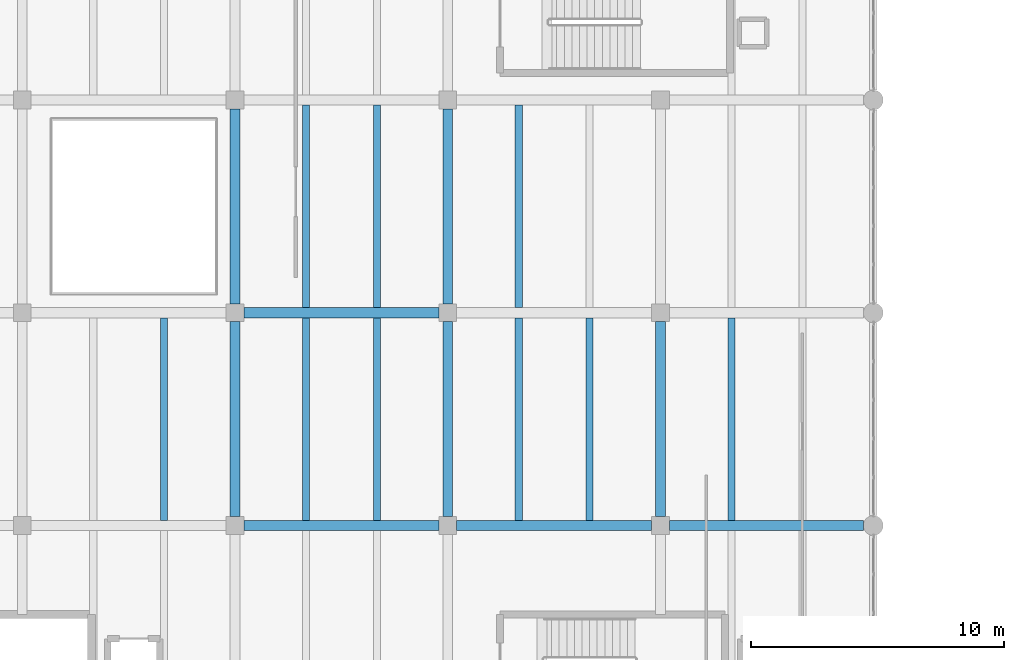
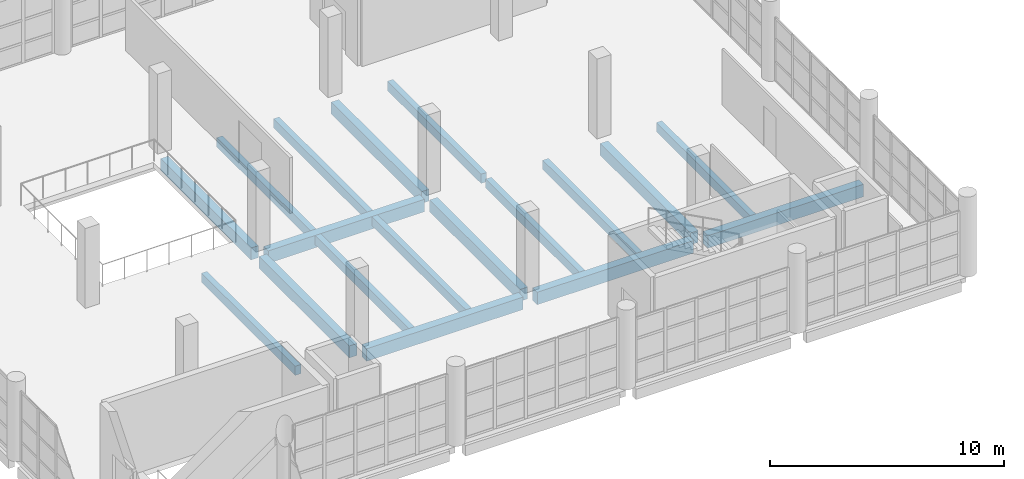
# One storey, part 88 of 177: 18 beams.
"""IFC4 building model written with IfcOpenShell, lengths in metres."""

import ifcopenshell
import ifcopenshell.guid

model = None  # the IFC model being written
_history = None  # IfcOwnerHistory: only IFC2X3 demands one
_inside = {}  # id of a spatial element -> (the spatial element, [elements in it])
_under = {}  # id of a project, library or spatial element -> (it, [spatial elements below it])
_declared = {}  # id of a project -> (the project, [libraries it declares])
_typed = {}  # id of a type object -> (the type object, [elements of that type])
_made_of = {}  # id of a material, layer set ... -> (it, [elements and type objects made of it])


def new_model(schema):
    """Start an empty IFC model of exactly this schema.

    Asked for "IFC4X3", IfcOpenShell would pick the latest addendum, in which some entities
    have other attributes; the version numbers below select the first issue.
    IFC2X3 requires an IfcOwnerHistory on every rooted entity: one is made here for all.
    """
    global model, _history
    if schema == "IFC4X3":
        model = ifcopenshell.file(schema_version=(4, 3, 0, 0))
    else:
        model = ifcopenshell.file(schema=schema)
    _inside.clear()
    _under.clear()
    _declared.clear()
    _typed.clear()
    _made_of.clear()
    _history = None
    if model.schema == "IFC2X3":
        org = make("IfcOrganization", Name="unknown")
        user = make(
            "IfcPersonAndOrganization",
            ThePerson=make("IfcPerson", FamilyName="unknown"),
            TheOrganization=org,
        )
        app = make(
            "IfcApplication",
            ApplicationDeveloper=org,
            Version="unknown",
            ApplicationFullName="unknown",
            ApplicationIdentifier="unknown",
        )
        _history = make(
            "IfcOwnerHistory",
            OwningUser=user,
            OwningApplication=app,
            ChangeAction="ADDED",
            CreationDate=0,
        )
    return model


def make(cls, **values):
    """One entity of the class cls with the attributes given. An attribute that is None is left unset."""
    return model.create_entity(
        cls, **{name: value for name, value in values.items() if value is not None}
    )


def rooted(cls, **values):
    """An entity with a GlobalId (a new one), such as an element, a storey or a relation."""
    return make(cls, GlobalId=ifcopenshell.guid.new(), OwnerHistory=_history, **values)


def si_unit(unit_type, name, prefix=None):
    """IfcSIUnit, for example si_unit("LENGTHUNIT", "METRE", prefix="MILLI")."""
    return make("IfcSIUnit", UnitType=unit_type, Prefix=prefix, Name=name)


def assignment(units):
    """IfcUnitAssignment: the units of a project."""
    return None if units is None else make("IfcUnitAssignment", Units=units)


def point(xyz):
    """IfcCartesianPoint."""
    return None if xyz is None else make("IfcCartesianPoint", Coordinates=xyz)


def direction(xyz):
    """IfcDirection."""
    return None if xyz is None else make("IfcDirection", DirectionRatios=xyz)


def frame(location, z_axis=None, x_axis=None):
    """IfcAxis2Placement3D, a coordinate frame: its origin and axes. An axis left out is left unset."""
    return make(
        "IfcAxis2Placement3D",
        Location=point(location),
        Axis=direction(z_axis),
        RefDirection=direction(x_axis),
    )


def frame_2d(location, x_axis=None):
    """IfcAxis2Placement2D, a coordinate frame in the plane: its origin and x axis."""
    return make(
        "IfcAxis2Placement2D", Location=point(location), RefDirection=direction(x_axis)
    )


def origin():
    """The frame at (0, 0, 0) with its axes left unset."""
    return frame((0.0, 0.0, 0.0))


def origin_2d():
    """The frame at (0, 0) in the plane with its x axis left unset."""
    return frame_2d((0.0, 0.0))


def place(relative_to, where):
    """IfcLocalPlacement: puts the frame where relative to a parent placement (None: the world)."""
    return make(
        "IfcLocalPlacement", PlacementRelTo=relative_to, RelativePlacement=where
    )


def context(
    kind, dimensions, precision=None, world=None, true_north=None, identifier=None
):
    """IfcGeometricRepresentationContext, for example the 3D "Model" context."""
    return make(
        "IfcGeometricRepresentationContext",
        ContextIdentifier=identifier,
        ContextType=kind,
        CoordinateSpaceDimension=dimensions,
        Precision=precision,
        WorldCoordinateSystem=world,
        TrueNorth=true_north,
    )


def subcontext(parent, identifier, kind, view, scale=None):
    """IfcGeometricRepresentationSubContext, for example "Body" below "Model"."""
    return make(
        "IfcGeometricRepresentationSubContext",
        ContextIdentifier=identifier,
        ContextType=kind,
        ParentContext=parent,
        TargetScale=scale,
        TargetView=view,
    )


def project(units=None, contexts=None):
    """IfcProject with its units and contexts."""
    return rooted(
        "IfcProject",
        Name="project",
        RepresentationContexts=contexts,
        UnitsInContext=assignment(units),
    )


def spatial(cls, under=None, at=None, **own):
    """A site, building, storey or space (cls), placed at a placement, below another one or the project."""
    s = rooted(cls, ObjectPlacement=at, **own)
    if under is not None:
        _under.setdefault(under.id(), (under, []))[1].append(s)
    return s


def profile(cls, at=None, kind="AREA", **sizes):
    """A parametric profile (cls). Its sizes go by their IFC names, for example OverallWidth=200.0."""
    return make(cls, ProfileType=kind, Position=at, **sizes)


def rectangle(**sizes):
    """IfcRectangleProfileDef."""
    return profile("IfcRectangleProfileDef", **sizes)


def extrude(swept, where, along, depth):
    """IfcExtrudedAreaSolid: the profile swept, set in the frame where, extruded along a direction by depth."""
    return make(
        "IfcExtrudedAreaSolid",
        SweptArea=swept,
        Position=where,
        ExtrudedDirection=direction(along),
        Depth=depth,
    )


def shape(context_of_items, identifier, shape_type, items):
    """IfcShapeRepresentation: the items that make up one representation, for example the "Body"."""
    return make(
        "IfcShapeRepresentation",
        ContextOfItems=context_of_items,
        RepresentationIdentifier=identifier,
        RepresentationType=shape_type,
        Items=items,
    )


def material(Name=None, Category=None):
    """IfcMaterial."""
    return make("IfcMaterial", Name=Name, Category=Category)


def material_profile(
    of_material, cross_section, Name=None, Category=None, Priority=None
):
    """IfcMaterialProfile: a cross section and its material."""
    return make(
        "IfcMaterialProfile",
        Name=Name,
        Material=of_material,
        Profile=cross_section,
        Priority=Priority,
        Category=Category,
    )


def profile_set(profiles, Name=None, composite=None):
    """IfcMaterialProfileSet."""
    return make(
        "IfcMaterialProfileSet",
        Name=Name,
        MaterialProfiles=profiles,
        CompositeProfile=composite,
    )


def made_of(thing, what):
    """Note that an element or type object is made of a material, layer set ...; save() writes the relation."""
    if what is not None:
        _made_of.setdefault(what.id(), (what, []))[1].append(thing)
    return thing


def type_object(cls, material=None, **own):
    """A type object (cls), such as IfcWallType, which elements share."""
    return made_of(rooted(cls, **own), material)


def element(
    cls,
    number,
    at=None,
    inside=None,
    cuts=None,
    type_object=None,
    material=None,
    context=None,
    identifier="Body",
    shape_type=None,
    held_by="IfcProductDefinitionShape",
    body=None,
    shapes=None,
    **own,
):
    """One element of the class cls, such as IfcWall. Its Tag is "e" and its number.

    at: its placement. inside: the storey or other place that contains it. cuts: it is an
    opening in that element (IfcRelVoidsElement). A single representation is given by context,
    identifier, shape_type and body (its items); several are given by shapes. held_by: the class
    of the entity that holds the representations. save() writes the other relations.
    """
    e = rooted(cls, Tag="e%d" % number, ObjectPlacement=at, **own)
    if body is not None:
        shapes = [shape(context, identifier, shape_type, body)]
    if shapes is not None:
        e.Representation = make(held_by, Representations=shapes)
    if inside is not None:
        _inside.setdefault(inside.id(), (inside, []))[1].append(e)
    if cuts is not None:
        rooted(
            "IfcRelVoidsElement", RelatingBuildingElement=cuts, RelatedOpeningElement=e
        )
    if type_object is not None:
        _typed.setdefault(type_object.id(), (type_object, []))[1].append(e)
    return made_of(e, material)


def aggregate(whole, parts):
    """IfcRelAggregates: a whole, such as a stair, and the parts it consists of."""
    return rooted("IfcRelAggregates", RelatingObject=whole, RelatedObjects=parts)


def save(model, path):
    """Write the relations noted so far, then the file.

    IfcRelAggregates (storeys below a building ...), IfcRelContainedInSpatialStructure (elements
    in a storey), IfcRelDefinesByType, IfcRelAssociatesMaterial and IfcRelDeclares: one each for
    every whole, place, type object, material and project.
    """
    for whole, parts in _under.values():
        aggregate(whole, parts)
    for where, things in _inside.values():
        rooted(
            "IfcRelContainedInSpatialStructure",
            RelatedElements=things,
            RelatingStructure=where,
        )
    for kind, things in _typed.values():
        rooted("IfcRelDefinesByType", RelatedObjects=things, RelatingType=kind)
    for what, things in _made_of.values():
        rooted("IfcRelAssociatesMaterial", RelatedObjects=things, RelatingMaterial=what)
    for by, libraries in _declared.values():
        rooted("IfcRelDeclares", RelatingContext=by, RelatedDefinitions=libraries)
    model.write(path)


model = new_model("IFC4")

# Units and contexts
model_context = context("Model", 3, precision=1e-05, world=origin(), true_north=direction((0.0, 1.0)))
body_context = subcontext(model_context, "Body", "Model", "MODEL_VIEW")
ifc_project = project(units=[si_unit("LENGTHUNIT", "METRE"), si_unit("AREAUNIT", "SQUARE_METRE"), si_unit("VOLUMEUNIT", "CUBIC_METRE"), si_unit("PLANEANGLEUNIT", "RADIAN"), si_unit("MASSUNIT", "GRAM", prefix="KILO"), si_unit("THERMODYNAMICTEMPERATUREUNIT", "KELVIN"), si_unit("POWERUNIT", "WATT")], contexts=[model_context])

# Site, building, storey
site_placement = place(None, origin())
site = spatial("IfcSite", under=ifc_project, at=site_placement, CompositionType="ELEMENT")
building_placement = place(site_placement, origin())
building = spatial("IfcBuilding", under=site, at=building_placement, Name="Mavoryth Pier Ferry Terminal", CompositionType="ELEMENT")
storey_placement = place(building_placement, frame((0.0, 0.0, 5.43994140625)))
storey = spatial("IfcBuildingStorey", under=building, at=storey_placement, Name="L01", CompositionType="ELEMENT", Elevation=5.43994140625)

# Beams
ifc_material = material(Name="Concrete C35/45", Category="concrete")
ifc_material_profile_1 = material_profile(ifc_material, rectangle(XDim=0.3798828125, YDim=0.6201171875, at=origin_2d()), Name="RC 380x620", Category="concrete")
ifc_profile_set_1 = profile_set([ifc_material_profile_1], Name="Concrete C35/45 - RC 380x620")
beam_type_1 = type_object("IfcBeamType", Name="Girder-RC-380x620", PredefinedType="BEAM", material=ifc_profile_set_1)
beam_1_placement = place(storey_placement, frame((67.199951171875, 81.14990234375, -0.58984375), z_axis=(0.0, 1.0, 0.0), x_axis=(-1.0, 0.0, 0.0)))
element("IfcBeam", 1, at=beam_1_placement, inside=storey, type_object=beam_type_1, Name="Beam B01-BG06-0212", PredefinedType="BEAM", context=body_context, shape_type="SweptSolid", body=[
    extrude(rectangle(XDim=0.3798828125, YDim=0.6201171875, at=origin_2d()), origin(), (0.0, 0.0, 1.0), 7.7001953125),
])
beam_2_placement = place(storey_placement, frame((67.199951171875, 89.550048828125, -0.58984375), z_axis=(0.0, 1.0, 0.0), x_axis=(-1.0, 0.0, 0.0)))
element("IfcBeam", 2, at=beam_2_placement, inside=storey, type_object=beam_type_1, Name="Beam B01-BG06-0213", PredefinedType="BEAM", context=body_context, shape_type="SweptSolid", body=[
    extrude(rectangle(XDim=0.3798828125, YDim=0.6201171875, at=origin_2d()), origin(), (0.0, 0.0, 1.0), 7.699951171875),
])
beam_3_placement = place(storey_placement, frame((75.60009765625, 81.14990234375, -0.58984375), z_axis=(0.0, 1.0, 0.0), x_axis=(-1.0, 0.0, 0.0)))
element("IfcBeam", 3, at=beam_3_placement, inside=storey, type_object=beam_type_1, Name="Beam B01-BG06-0216", PredefinedType="BEAM", context=body_context, shape_type="SweptSolid", body=[
    extrude(rectangle(XDim=0.3798828125, YDim=0.6201171875, at=origin_2d()), origin(), (0.0, 0.0, 1.0), 7.7001953125),
])
beam_4_placement = place(storey_placement, frame((75.60009765625, 89.550048828125, -0.58984375), z_axis=(0.0, 1.0, 0.0), x_axis=(-1.0, 0.0, 0.0)))
element("IfcBeam", 4, at=beam_4_placement, inside=storey, type_object=beam_type_1, Name="Beam B01-BG06-0217", PredefinedType="BEAM", context=body_context, shape_type="SweptSolid", body=[
    extrude(rectangle(XDim=0.3798828125, YDim=0.6201171875, at=origin_2d()), origin(), (0.0, 0.0, 1.0), 7.699951171875),
])
beam_5_placement = place(storey_placement, frame((84.0, 81.14990234375, -0.58984375), z_axis=(0.0, 1.0, 0.0), x_axis=(-1.0, 0.0, 0.0)))
element("IfcBeam", 5, at=beam_5_placement, inside=storey, type_object=beam_type_1, Name="Beam B01-BG06-0220", PredefinedType="BEAM", context=body_context, shape_type="SweptSolid", body=[
    extrude(rectangle(XDim=0.3798828125, YDim=0.6201171875, at=origin_2d()), origin(), (0.0, 0.0, 1.0), 7.7001953125),
])
ifc_material_profile_2 = material_profile(ifc_material, rectangle(XDim=0.39990234375, YDim=0.64990234375, at=origin_2d()), Name="RC 400x650", Category="concrete")
ifc_profile_set_2 = profile_set([ifc_material_profile_2], Name="Concrete C35/45 - RC 400x650")
beam_type_2 = type_object("IfcBeamType", Name="Girder-RC-400x650", PredefinedType="BEAM", material=ifc_profile_set_2)
for number, where, z_axis, x_axis, name in (
    (6, (67.550048828125, 80.800048828125, -0.60498046875), (1.0, 0.0, 0.0), (0.0, 1.0, 0.0), "Beam B01-BG05-0186"),
    (7, (75.949951171875, 80.800048828125, -0.60498046875), (1.0, 0.0, 0.0), (0.0, 1.0, 0.0), "Beam B01-BG05-0187"),
):
    element("IfcBeam", number, at=place(storey_placement, frame(where, z_axis=z_axis, x_axis=x_axis)), inside=storey, type_object=beam_type_2, Name=name, PredefinedType="BEAM", context=body_context, shape_type="SweptSolid", body=[
        extrude(rectangle(XDim=0.39990234375, YDim=0.64990234375, at=origin_2d()), origin(), (0.0, 0.0, 1.0), 7.699951171875),
    ])
beam_6_placement = place(storey_placement, frame((84.35009765625, 80.800048828125, -0.60498046875), z_axis=(1.0, 0.0, 0.0), x_axis=(0.0, 1.0, 0.0)))
element("IfcBeam", 8, at=beam_6_placement, inside=storey, type_object=beam_type_2, Name="Beam B01-BG05-0188", PredefinedType="BEAM", context=body_context, shape_type="SweptSolid", body=[
    extrude(rectangle(XDim=0.39990234375, YDim=0.64990234375, at=origin_2d()), origin(), (0.0, 0.0, 1.0), 7.659912109375),
])
beam_7_placement = place(storey_placement, frame((67.550048828125, 89.199951171875, -0.60498046875), z_axis=(1.0, 0.0, 0.0), x_axis=(0.0, 1.0, 0.0)))
element("IfcBeam", 9, at=beam_7_placement, inside=storey, type_object=beam_type_2, Name="Beam B01-BG05-0191", PredefinedType="BEAM", context=body_context, shape_type="SweptSolid", body=[
    extrude(rectangle(XDim=0.39990234375, YDim=0.64990234375, at=origin_2d()), origin(), (0.0, 0.0, 1.0), 7.699951171875),
])
ifc_material_profile_3 = material_profile(ifc_material, rectangle(XDim=0.280029296875, YDim=0.47998046875, at=origin_2d()), Name="RC 280x480", Category="concrete")
ifc_profile_set_3 = profile_set([ifc_material_profile_3], Name="Concrete C35/45 - RC 280x480")
beam_type_3 = type_object("IfcBeamType", Name="Joist-RC-280x480", PredefinedType="JOIST", material=ifc_profile_set_3)
for number, where, z_axis, x_axis, name in (
    (10, (64.39990234375, 81.0, -0.52001953125), (0.0, 1.0, 0.0), (-1.0, 0.0, 0.0), "Beam B01-BJ02-0236"),
    (11, (70.0, 81.0, -0.52001953125), (0.0, 1.0, 0.0), (-1.0, 0.0, 0.0), "Beam B01-BJ02-0241"),
    (12, (72.800048828125, 81.0, -0.52001953125), (0.0, 1.0, 0.0), (-1.0, 0.0, 0.0), "Beam B01-BJ02-0242"),
    (13, (70.0, 89.39990234375, -0.52001953125), (0.0, 1.0, 0.0), (-1.0, 0.0, 0.0), "Beam B01-BJ02-0243"),
    (14, (72.800048828125, 89.39990234375, -0.52001953125), (0.0, 1.0, 0.0), (-1.0, 0.0, 0.0), "Beam B01-BJ02-0244"),
    (15, (78.39990234375, 81.0, -0.52001953125), (0.0, 1.0, 0.0), (-1.0, 0.0, 0.0), "Beam B01-BJ02-0247"),
    (16, (81.199951171875, 81.0, -0.52001953125), (0.0, 1.0, 0.0), (-1.0, 0.0, 0.0), "Beam B01-BJ02-0248"),
    (17, (78.39990234375, 89.39990234375, -0.52001953125), (0.0, 1.0, 0.0), (-1.0, 0.0, 0.0), "Beam B01-BJ02-0249"),
    (18, (86.800048828125, 81.0, -0.52001953125), (0.0, 1.0, 0.0), (-1.0, 0.0, 0.0), "Beam B01-BJ02-0253"),
):
    element("IfcBeam", number, at=place(storey_placement, frame(where, z_axis=z_axis, x_axis=x_axis)), inside=storey, type_object=beam_type_3, Name=name, PredefinedType="JOIST", context=body_context, shape_type="SweptSolid", body=[
        extrude(rectangle(XDim=0.280029296875, YDim=0.47998046875, at=origin_2d()), origin(), (0.0, 0.0, 1.0), 8.0),
    ])

save(model, "model.ifc")
